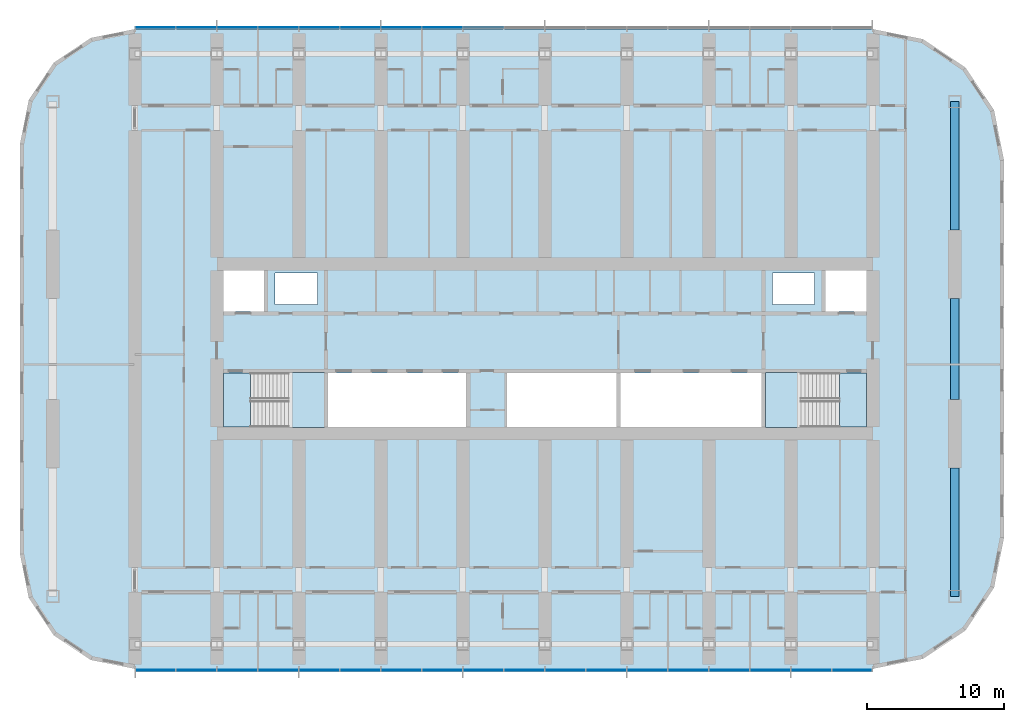
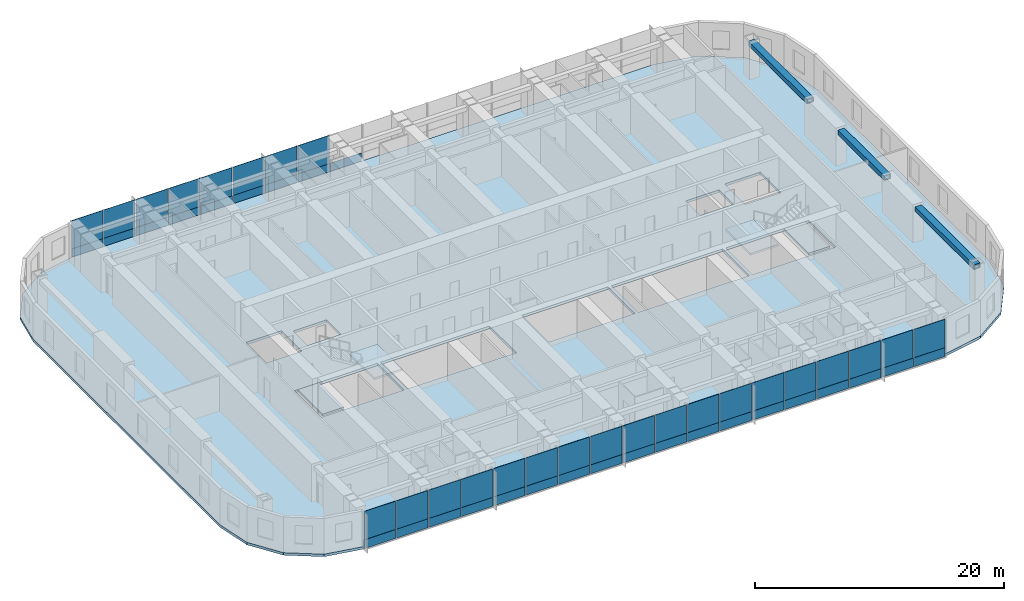
# One storey, part 6 of 21: 53 plates, 5 slabs, 3 beams, 4 elements without a shape of their own.
"""IFC4 building model written with IfcOpenShell, lengths in metres."""

from ifc_helpers import new_model, si_unit, direction, frame, origin, origin_2d, place, context, subcontext, project, spatial, polyline, rectangle, hollow_rectangle, outline, extrude, material, layer, layer_set, material_profile, profile_set, type_object, element, aggregate, save


model = new_model("IFC4")

# Units and contexts
model_context = context("Model", 3, precision=1e-05, world=origin(), true_north=direction((0.0, 1.0)))
body_context = subcontext(model_context, "Body", "Model", "MODEL_VIEW")
ifc_project = project(units=[si_unit("LENGTHUNIT", "METRE"), si_unit("AREAUNIT", "SQUARE_METRE"), si_unit("VOLUMEUNIT", "CUBIC_METRE"), si_unit("PLANEANGLEUNIT", "RADIAN"), si_unit("MASSUNIT", "GRAM", prefix="KILO")], contexts=[model_context])

# Site, building, storey
site_placement = place(None, origin())
site = spatial("IfcSite", under=ifc_project, at=site_placement, CompositionType="ELEMENT")
building_placement = place(site_placement, origin())
building = spatial("IfcBuilding", under=site, at=building_placement, Name="Orbita Commons", CompositionType="ELEMENT")
storey_placement = place(building_placement, frame((0.0, 0.0, 125.64990234375)))
storey = spatial("IfcBuildingStorey", under=building, at=storey_placement, Name="L31", CompositionType="ELEMENT", Elevation=125.64990234375)

# Beams
ifc_material_1 = material(Name="Steel ASTM A572 Gr 50 welded plate", Category="steel")
ifc_material_profile = material_profile(ifc_material_1, hollow_rectangle(XDim=0.60009765625, YDim=0.449951171875, WallThickness=0.06005859375, at=origin_2d()), Name="BOX 450x600x60")
ifc_profile_set = profile_set([ifc_material_profile], Name="Steel ASTM A572 Gr 50 welded plate")
beam_type = type_object("IfcBeamType", Name="Steel end frame link BOX 450x600x60", PredefinedType="BEAM", material=ifc_profile_set)
beam_1_placement = place(storey_placement, frame((72.0, 13.89990234375, 3.275146484375), z_axis=(0.0, 1.0, 0.0), x_axis=(-1.0, 0.0, 0.0)))
element("IfcBeam", 1, at=beam_1_placement, inside=storey, type_object=beam_type, Name="End frame beam 13 B-C L31", PredefinedType="BEAM", context=body_context, shape_type="SweptSolid", body=[
    extrude(hollow_rectangle(XDim=0.60009765625, YDim=0.449951171875, WallThickness=0.06005859375, at=origin_2d()), origin(), (0.0, 0.0, 1.0), 9.400146484375),
])
beam_2_placement = place(storey_placement, frame((72.0, 28.300048828125, 3.275146484375), z_axis=(0.0, 1.0, 0.0), x_axis=(-1.0, 0.0, 0.0)))
element("IfcBeam", 2, at=beam_2_placement, inside=storey, type_object=beam_type, Name="End frame beam 13 C-D L31", PredefinedType="BEAM", context=body_context, shape_type="SweptSolid", body=[
    extrude(hollow_rectangle(XDim=0.60009765625, YDim=0.449951171875, WallThickness=0.06005859375, at=origin_2d()), origin(), (0.0, 0.0, 1.0), 7.39990234375),
])
beam_3_placement = place(storey_placement, frame((72.0, 40.699951171875, 3.275146484375), z_axis=(0.0, 1.0, 0.0), x_axis=(-1.0, 0.0, 0.0)))
element("IfcBeam", 3, at=beam_3_placement, inside=storey, type_object=beam_type, Name="End frame beam 13 D-E L31", PredefinedType="BEAM", context=body_context, shape_type="SweptSolid", body=[
    extrude(hollow_rectangle(XDim=0.60009765625, YDim=0.449951171875, WallThickness=0.06005859375, at=origin_2d()), origin(), (0.0, 0.0, 1.0), 9.400146484375),
])

# Slab
ifc_material_2 = material(Name="Concrete C40/50", Category="concrete")
ifc_layer_1 = layer(ifc_material_2, 0.25)
ifc_layer_set_1 = layer_set([ifc_layer_1], Name="Concrete C40/50")
slab_type_1 = type_object("IfcSlabType", Name="Floor slab 250", PredefinedType="FLOOR", material=ifc_layer_set_1)
slab_1_placement = place(storey_placement, frame((0.0, 0.0, -0.25)))
element("IfcSlab", 4, at=slab_1_placement, inside=storey, type_object=slab_type_1, Name="Floor slab L31", PredefinedType="FLOOR", context=body_context, shape_type="SweptSolid", body=[
    extrude(outline(polyline([(66.0, 8.60009765625), (69.673828125, 9.330810546875), (72.788330078125, 11.411865234375), (74.869140625, 14.526123046875), (75.60009765625, 18.199951171875), (75.60009765625, 45.800048828125), (74.869140625, 49.473876953125), (72.788330078125, 52.588134765625), (69.673828125, 54.669189453125), (66.0, 55.39990234375), (12.0, 55.39990234375), (8.785400390625, 54.760498046875), (6.060302734375, 52.939697265625), (4.239501953125, 50.214599609375), (3.60009765625, 47.0), (3.60009765625, 17.0), (4.239501953125, 13.785400390625), (6.060302734375, 11.060302734375), (8.785400390625, 9.239501953125), (12.0, 8.60009765625), (66.0, 8.60009765625)]), holes=[polyline([(18.14990234375, 25.949951171875), (25.85009765625, 25.949951171875), (25.85009765625, 30.25), (18.14990234375, 30.25), (18.14990234375, 25.949951171875)]), polyline([(58.14990234375, 25.949951171875), (65.85009765625, 25.949951171875), (65.85009765625, 30.25), (58.14990234375, 30.25), (58.14990234375, 25.949951171875)]), polyline([(18.14990234375, 34.75), (21.449951171875, 34.75), (21.449951171875, 38.050048828125), (18.14990234375, 38.050048828125), (18.14990234375, 34.75)]), polyline([(62.550048828125, 34.75), (65.85009765625, 34.75), (65.85009765625, 38.050048828125), (62.550048828125, 38.050048828125), (62.550048828125, 34.75)]), polyline([(22.25, 35.25), (25.35009765625, 35.25), (25.35009765625, 37.550048828125), (22.25, 37.550048828125), (22.25, 35.25)]), polyline([(58.64990234375, 35.25), (61.75, 35.25), (61.75, 37.550048828125), (58.64990234375, 37.550048828125), (58.64990234375, 35.25)]), polyline([(26.14990234375, 25.949951171875), (36.25, 25.949951171875), (36.25, 30.25), (26.14990234375, 30.25), (26.14990234375, 25.949951171875)]), polyline([(39.25, 25.949951171875), (47.25, 25.949951171875), (47.25, 30.25), (39.25, 30.25), (39.25, 25.949951171875)]), polyline([(47.550048828125, 25.949951171875), (57.85009765625, 25.949951171875), (57.85009765625, 30.25), (47.550048828125, 30.25), (47.550048828125, 25.949951171875)])]), origin(), (0.0, 0.0, 1.0), 0.25),
])

# Curtain wall, plates
ifc_material_3 = material(Name="Anodised aluminium frame, pale silver", Category="aluminium")
curtain_wall_type = type_object("IfcCurtainWallType", Name="Unitised curtain wall CW-T, vision and spandrel", PredefinedType="NOTDEFINED", material=ifc_material_3)
curtain_wall_1_placement = place(storey_placement, origin())
curtain_wall_1 = element("IfcCurtainWall", 5, at=curtain_wall_1_placement, inside=storey, type_object=curtain_wall_type, Name="Curtain wall south L31", PredefinedType="NOTDEFINED")
ifc_material_4 = material(Name="Anodised aluminium sheet on mineral wool", Category="aluminium")
ifc_layer_2 = layer(ifc_material_4, 0.050048828125)
ifc_layer_set_2 = layer_set([ifc_layer_2], Name="Anodised aluminium sheet on mineral wool")
plate_type_1 = type_object("IfcPlateType", Name="Spandrel panel, pale aluminium over insulation 50", PredefinedType="CURTAIN_PANEL", material=ifc_layer_set_2)
plate_1_placement = place(storey_placement, frame((13.52001953125, 8.489990234375, -0.14990234375), z_axis=(0.0, 0.0, 1.0), x_axis=(1.0, 0.0, 0.0)))
plate_1 = element("IfcPlate", 6, at=plate_1_placement, type_object=plate_type_1, Name="Panel 1.1 CW-L31-S", PredefinedType="CURTAIN_PANEL", context=body_context, shape_type="SweptSolid", body=[
    extrude(rectangle(XDim=2.8798828125, YDim=0.050048828125, at=origin_2d()), origin(), (0.0, 0.0, 1.0), 0.875),
])
plate_2_placement = place(storey_placement, frame((16.5, 8.489990234375, -0.14990234375), z_axis=(0.0, 0.0, 1.0), x_axis=(1.0, 0.0, 0.0)))
plate_2 = element("IfcPlate", 7, at=plate_2_placement, type_object=plate_type_1, Name="Panel 2.1 CW-L31-S", PredefinedType="CURTAIN_PANEL", context=body_context, shape_type="SweptSolid", body=[
    extrude(rectangle(XDim=2.919921875, YDim=0.050048828125, at=origin_2d()), origin(), (0.0, 0.0, 1.0), 0.875),
])
plate_3_placement = place(storey_placement, frame((19.5, 8.489990234375, -0.14990234375), z_axis=(0.0, 0.0, 1.0), x_axis=(1.0, 0.0, 0.0)))
plate_3 = element("IfcPlate", 8, at=plate_3_placement, type_object=plate_type_1, Name="Panel 3.1 CW-L31-S", PredefinedType="CURTAIN_PANEL", context=body_context, shape_type="SweptSolid", body=[
    extrude(rectangle(XDim=2.919921875, YDim=0.050048828125, at=origin_2d()), origin(), (0.0, 0.0, 1.0), 0.875),
])
plate_4_placement = place(storey_placement, frame((22.5, 8.489990234375, -0.14990234375), z_axis=(0.0, 0.0, 1.0), x_axis=(1.0, 0.0, 0.0)))
plate_4 = element("IfcPlate", 9, at=plate_4_placement, type_object=plate_type_1, Name="Panel 4.1 CW-L31-S", PredefinedType="CURTAIN_PANEL", context=body_context, shape_type="SweptSolid", body=[
    extrude(rectangle(XDim=2.919921875, YDim=0.050048828125, at=origin_2d()), origin(), (0.0, 0.0, 1.0), 0.875),
])
plate_5_placement = place(storey_placement, frame((25.5, 8.489990234375, -0.14990234375), z_axis=(0.0, 0.0, 1.0), x_axis=(1.0, 0.0, 0.0)))
plate_5 = element("IfcPlate", 10, at=plate_5_placement, type_object=plate_type_1, Name="Panel 5.1 CW-L31-S", PredefinedType="CURTAIN_PANEL", context=body_context, shape_type="SweptSolid", body=[
    extrude(rectangle(XDim=2.919921875, YDim=0.050048828125, at=origin_2d()), origin(), (0.0, 0.0, 1.0), 0.875),
])
plate_6_placement = place(storey_placement, frame((28.5, 8.489990234375, -0.14990234375), z_axis=(0.0, 0.0, 1.0), x_axis=(1.0, 0.0, 0.0)))
plate_6 = element("IfcPlate", 11, at=plate_6_placement, type_object=plate_type_1, Name="Panel 6.1 CW-L31-S", PredefinedType="CURTAIN_PANEL", context=body_context, shape_type="SweptSolid", body=[
    extrude(rectangle(XDim=2.919921875, YDim=0.050048828125, at=origin_2d()), origin(), (0.0, 0.0, 1.0), 0.875),
])
plate_7_placement = place(storey_placement, frame((31.5, 8.489990234375, -0.14990234375), z_axis=(0.0, 0.0, 1.0), x_axis=(1.0, 0.0, 0.0)))
plate_7 = element("IfcPlate", 12, at=plate_7_placement, type_object=plate_type_1, Name="Panel 7.1 CW-L31-S", PredefinedType="CURTAIN_PANEL", context=body_context, shape_type="SweptSolid", body=[
    extrude(rectangle(XDim=2.919921875, YDim=0.050048828125, at=origin_2d()), origin(), (0.0, 0.0, 1.0), 0.875),
])
plate_8_placement = place(storey_placement, frame((34.5, 8.489990234375, -0.14990234375), z_axis=(0.0, 0.0, 1.0), x_axis=(1.0, 0.0, 0.0)))
plate_8 = element("IfcPlate", 13, at=plate_8_placement, type_object=plate_type_1, Name="Panel 8.1 CW-L31-S", PredefinedType="CURTAIN_PANEL", context=body_context, shape_type="SweptSolid", body=[
    extrude(rectangle(XDim=2.919921875, YDim=0.050048828125, at=origin_2d()), origin(), (0.0, 0.0, 1.0), 0.875),
])
plate_9_placement = place(storey_placement, frame((37.5, 8.489990234375, -0.14990234375), z_axis=(0.0, 0.0, 1.0), x_axis=(1.0, 0.0, 0.0)))
plate_9 = element("IfcPlate", 14, at=plate_9_placement, type_object=plate_type_1, Name="Panel 9.1 CW-L31-S", PredefinedType="CURTAIN_PANEL", context=body_context, shape_type="SweptSolid", body=[
    extrude(rectangle(XDim=2.919921875, YDim=0.050048828125, at=origin_2d()), origin(), (0.0, 0.0, 1.0), 0.875),
])
plate_10_placement = place(storey_placement, frame((40.5, 8.489990234375, -0.14990234375), z_axis=(0.0, 0.0, 1.0), x_axis=(1.0, 0.0, 0.0)))
plate_10 = element("IfcPlate", 15, at=plate_10_placement, type_object=plate_type_1, Name="Panel 10.1 CW-L31-S", PredefinedType="CURTAIN_PANEL", context=body_context, shape_type="SweptSolid", body=[
    extrude(rectangle(XDim=2.919921875, YDim=0.050048828125, at=origin_2d()), origin(), (0.0, 0.0, 1.0), 0.875),
])
plate_11_placement = place(storey_placement, frame((43.5, 8.489990234375, -0.14990234375), z_axis=(0.0, 0.0, 1.0), x_axis=(1.0, 0.0, 0.0)))
plate_11 = element("IfcPlate", 16, at=plate_11_placement, type_object=plate_type_1, Name="Panel 11.1 CW-L31-S", PredefinedType="CURTAIN_PANEL", context=body_context, shape_type="SweptSolid", body=[
    extrude(rectangle(XDim=2.919921875, YDim=0.050048828125, at=origin_2d()), origin(), (0.0, 0.0, 1.0), 0.875),
])
plate_12_placement = place(storey_placement, frame((46.5, 8.489990234375, -0.14990234375), z_axis=(0.0, 0.0, 1.0), x_axis=(1.0, 0.0, 0.0)))
plate_12 = element("IfcPlate", 17, at=plate_12_placement, type_object=plate_type_1, Name="Panel 12.1 CW-L31-S", PredefinedType="CURTAIN_PANEL", context=body_context, shape_type="SweptSolid", body=[
    extrude(rectangle(XDim=2.919921875, YDim=0.050048828125, at=origin_2d()), origin(), (0.0, 0.0, 1.0), 0.875),
])
plate_13_placement = place(storey_placement, frame((49.5, 8.489990234375, -0.14990234375), z_axis=(0.0, 0.0, 1.0), x_axis=(1.0, 0.0, 0.0)))
plate_13 = element("IfcPlate", 18, at=plate_13_placement, type_object=plate_type_1, Name="Panel 13.1 CW-L31-S", PredefinedType="CURTAIN_PANEL", context=body_context, shape_type="SweptSolid", body=[
    extrude(rectangle(XDim=2.919921875, YDim=0.050048828125, at=origin_2d()), origin(), (0.0, 0.0, 1.0), 0.875),
])
plate_14_placement = place(storey_placement, frame((52.5, 8.489990234375, -0.14990234375), z_axis=(0.0, 0.0, 1.0), x_axis=(1.0, 0.0, 0.0)))
plate_14 = element("IfcPlate", 19, at=plate_14_placement, type_object=plate_type_1, Name="Panel 14.1 CW-L31-S", PredefinedType="CURTAIN_PANEL", context=body_context, shape_type="SweptSolid", body=[
    extrude(rectangle(XDim=2.919921875, YDim=0.050048828125, at=origin_2d()), origin(), (0.0, 0.0, 1.0), 0.875),
])
plate_15_placement = place(storey_placement, frame((55.5, 8.489990234375, -0.14990234375), z_axis=(0.0, 0.0, 1.0), x_axis=(1.0, 0.0, 0.0)))
plate_15 = element("IfcPlate", 20, at=plate_15_placement, type_object=plate_type_1, Name="Panel 15.1 CW-L31-S", PredefinedType="CURTAIN_PANEL", context=body_context, shape_type="SweptSolid", body=[
    extrude(rectangle(XDim=2.919921875, YDim=0.050048828125, at=origin_2d()), origin(), (0.0, 0.0, 1.0), 0.875),
])
plate_16_placement = place(storey_placement, frame((58.5, 8.489990234375, -0.14990234375), z_axis=(0.0, 0.0, 1.0), x_axis=(1.0, 0.0, 0.0)))
plate_16 = element("IfcPlate", 21, at=plate_16_placement, type_object=plate_type_1, Name="Panel 16.1 CW-L31-S", PredefinedType="CURTAIN_PANEL", context=body_context, shape_type="SweptSolid", body=[
    extrude(rectangle(XDim=2.919921875, YDim=0.050048828125, at=origin_2d()), origin(), (0.0, 0.0, 1.0), 0.875),
])
plate_17_placement = place(storey_placement, frame((61.5, 8.489990234375, -0.14990234375), z_axis=(0.0, 0.0, 1.0), x_axis=(1.0, 0.0, 0.0)))
plate_17 = element("IfcPlate", 22, at=plate_17_placement, type_object=plate_type_1, Name="Panel 17.1 CW-L31-S", PredefinedType="CURTAIN_PANEL", context=body_context, shape_type="SweptSolid", body=[
    extrude(rectangle(XDim=2.919921875, YDim=0.050048828125, at=origin_2d()), origin(), (0.0, 0.0, 1.0), 0.875),
])
plate_18_placement = place(storey_placement, frame((64.47998046875, 8.489990234375, -0.14990234375), z_axis=(0.0, 0.0, 1.0), x_axis=(1.0, 0.0, 0.0)))
plate_18 = element("IfcPlate", 23, at=plate_18_placement, type_object=plate_type_1, Name="Panel 18.1 CW-L31-S", PredefinedType="CURTAIN_PANEL", context=body_context, shape_type="SweptSolid", body=[
    extrude(rectangle(XDim=2.8798828125, YDim=0.050048828125, at=origin_2d()), origin(), (0.0, 0.0, 1.0), 0.875),
])

curtain_wall_2_placement = place(storey_placement, origin())
curtain_wall_2 = element("IfcCurtainWall", 24, at=curtain_wall_2_placement, inside=storey, type_object=curtain_wall_type, Name="Curtain wall north L31", PredefinedType="NOTDEFINED")
plate_19_placement = place(storey_placement, frame((37.5, 55.510009765625, -0.14990234375), z_axis=(0.0, 0.0, 1.0), x_axis=(-1.0, 0.0, 0.0)))
plate_19 = element("IfcPlate", 25, at=plate_19_placement, type_object=plate_type_1, Name="Panel 10.1 CW-L31-N", PredefinedType="CURTAIN_PANEL", context=body_context, shape_type="SweptSolid", body=[
    extrude(rectangle(XDim=2.919921875, YDim=0.050048828125, at=origin_2d()), origin(), (0.0, 0.0, 1.0), 0.875),
])
plate_20_placement = place(storey_placement, frame((34.5, 55.510009765625, -0.14990234375), z_axis=(0.0, 0.0, 1.0), x_axis=(-1.0, 0.0, 0.0)))
plate_20 = element("IfcPlate", 26, at=plate_20_placement, type_object=plate_type_1, Name="Panel 11.1 CW-L31-N", PredefinedType="CURTAIN_PANEL", context=body_context, shape_type="SweptSolid", body=[
    extrude(rectangle(XDim=2.919921875, YDim=0.050048828125, at=origin_2d()), origin(), (0.0, 0.0, 1.0), 0.875),
])
plate_21_placement = place(storey_placement, frame((31.5, 55.510009765625, -0.14990234375), z_axis=(0.0, 0.0, 1.0), x_axis=(-1.0, 0.0, 0.0)))
plate_21 = element("IfcPlate", 27, at=plate_21_placement, type_object=plate_type_1, Name="Panel 12.1 CW-L31-N", PredefinedType="CURTAIN_PANEL", context=body_context, shape_type="SweptSolid", body=[
    extrude(rectangle(XDim=2.919921875, YDim=0.050048828125, at=origin_2d()), origin(), (0.0, 0.0, 1.0), 0.875),
])
plate_22_placement = place(storey_placement, frame((28.5, 55.510009765625, -0.14990234375), z_axis=(0.0, 0.0, 1.0), x_axis=(-1.0, 0.0, 0.0)))
plate_22 = element("IfcPlate", 28, at=plate_22_placement, type_object=plate_type_1, Name="Panel 13.1 CW-L31-N", PredefinedType="CURTAIN_PANEL", context=body_context, shape_type="SweptSolid", body=[
    extrude(rectangle(XDim=2.919921875, YDim=0.050048828125, at=origin_2d()), origin(), (0.0, 0.0, 1.0), 0.875),
])
plate_23_placement = place(storey_placement, frame((25.5, 55.510009765625, -0.14990234375), z_axis=(0.0, 0.0, 1.0), x_axis=(-1.0, 0.0, 0.0)))
plate_23 = element("IfcPlate", 29, at=plate_23_placement, type_object=plate_type_1, Name="Panel 14.1 CW-L31-N", PredefinedType="CURTAIN_PANEL", context=body_context, shape_type="SweptSolid", body=[
    extrude(rectangle(XDim=2.919921875, YDim=0.050048828125, at=origin_2d()), origin(), (0.0, 0.0, 1.0), 0.875),
])
plate_24_placement = place(storey_placement, frame((22.5, 55.510009765625, -0.14990234375), z_axis=(0.0, 0.0, 1.0), x_axis=(-1.0, 0.0, 0.0)))
plate_24 = element("IfcPlate", 30, at=plate_24_placement, type_object=plate_type_1, Name="Panel 15.1 CW-L31-N", PredefinedType="CURTAIN_PANEL", context=body_context, shape_type="SweptSolid", body=[
    extrude(rectangle(XDim=2.919921875, YDim=0.050048828125, at=origin_2d()), origin(), (0.0, 0.0, 1.0), 0.875),
])
plate_25_placement = place(storey_placement, frame((19.5, 55.510009765625, -0.14990234375), z_axis=(0.0, 0.0, 1.0), x_axis=(-1.0, 0.0, 0.0)))
plate_25 = element("IfcPlate", 31, at=plate_25_placement, type_object=plate_type_1, Name="Panel 16.1 CW-L31-N", PredefinedType="CURTAIN_PANEL", context=body_context, shape_type="SweptSolid", body=[
    extrude(rectangle(XDim=2.919921875, YDim=0.050048828125, at=origin_2d()), origin(), (0.0, 0.0, 1.0), 0.875),
])
plate_26_placement = place(storey_placement, frame((16.5, 55.510009765625, -0.14990234375), z_axis=(0.0, 0.0, 1.0), x_axis=(-1.0, 0.0, 0.0)))
plate_26 = element("IfcPlate", 32, at=plate_26_placement, type_object=plate_type_1, Name="Panel 17.1 CW-L31-N", PredefinedType="CURTAIN_PANEL", context=body_context, shape_type="SweptSolid", body=[
    extrude(rectangle(XDim=2.919921875, YDim=0.050048828125, at=origin_2d()), origin(), (0.0, 0.0, 1.0), 0.875),
])
plate_27_placement = place(storey_placement, frame((13.52001953125, 55.510009765625, -0.14990234375), z_axis=(0.0, 0.0, 1.0), x_axis=(-1.0, 0.0, 0.0)))
plate_27 = element("IfcPlate", 33, at=plate_27_placement, type_object=plate_type_1, Name="Panel 18.1 CW-L31-N", PredefinedType="CURTAIN_PANEL", context=body_context, shape_type="SweptSolid", body=[
    extrude(rectangle(XDim=2.8798828125, YDim=0.050048828125, at=origin_2d()), origin(), (0.0, 0.0, 1.0), 0.875),
])

# Stair, slabs
ifc_material_5 = material(Name="Precast concrete C40/50", Category="concrete")
stair_type_1 = type_object("IfcStairType", Name="Exit stair S1 2 flights 11 risers 170", PredefinedType="HALF_TURN_STAIR", material=ifc_material_5)
stair_1_placement = place(storey_placement, origin())
stair_1 = element("IfcStair", 34, at=stair_1_placement, inside=storey, type_object=stair_type_1, Name="Exit stair S1 L31", PredefinedType="HALF_TURN_STAIR")
ifc_material_6 = material(Name="Concrete C40/50", Category="concrete")
ifc_layer_3 = layer(ifc_material_6, 0.199951171875)
ifc_layer_set_3 = layer_set([ifc_layer_3], Name="Concrete C40/50")
slab_type_2 = type_object("IfcSlabType", Name="Stair landing 200", PredefinedType="LANDING", material=ifc_layer_set_3)
slab_2_placement = place(storey_placement, frame((0.0, 0.0, -0.199951171875)))
slab_2 = element("IfcSlab", 35, at=slab_2_placement, type_object=slab_type_2, Name="S1 landing 1", PredefinedType="LANDING", context=body_context, shape_type="SweptSolid", body=[
    extrude(outline(polyline([(18.47509765625, 26.27490234375), (20.449951171875, 26.27490234375), (20.449951171875, 30.25), (18.47509765625, 30.25), (18.47509765625, 26.27490234375)])), origin(), (0.0, 0.0, 1.0), 0.199951171875),
])
slab_3_placement = place(storey_placement, frame((0.0, 0.0, 1.675048828125)))
slab_3 = element("IfcSlab", 36, at=slab_3_placement, type_object=slab_type_2, Name="S1 landing 2", PredefinedType="LANDING", context=body_context, shape_type="SweptSolid", body=[
    extrude(outline(polyline([(23.25, 26.260009765625), (25.864990234375, 26.260009765625), (25.864990234375, 30.264892578125), (23.25, 30.264892578125), (23.25, 26.260009765625)])), origin(), (0.0, 0.0, 1.0), 0.199951171875),
])
aggregate(stair_1, [slab_2, slab_3])

ifc_material_7 = material(Name="Precast concrete C40/50", Category="concrete")
stair_type_2 = type_object("IfcStairType", Name="Exit stair S2 2 flights 11 risers 170", PredefinedType="HALF_TURN_STAIR", material=ifc_material_7)
stair_2_placement = place(storey_placement, origin())
stair_2 = element("IfcStair", 37, at=stair_2_placement, inside=storey, type_object=stair_type_2, Name="Exit stair S2 L31", PredefinedType="HALF_TURN_STAIR")
slab_4_placement = place(storey_placement, frame((0.0, 0.0, -0.199951171875)))
slab_4 = element("IfcSlab", 38, at=slab_4_placement, type_object=slab_type_2, Name="S2 landing 1", PredefinedType="LANDING", context=body_context, shape_type="SweptSolid", body=[
    extrude(outline(polyline([(63.550048828125, 26.27490234375), (65.52490234375, 26.27490234375), (65.52490234375, 30.25), (63.550048828125, 30.25), (63.550048828125, 26.27490234375)])), origin(), (0.0, 0.0, 1.0), 0.199951171875),
])
slab_5_placement = place(storey_placement, frame((0.0, 0.0, 1.675048828125)))
slab_5 = element("IfcSlab", 39, at=slab_5_placement, type_object=slab_type_2, Name="S2 landing 2", PredefinedType="LANDING", context=body_context, shape_type="SweptSolid", body=[
    extrude(outline(polyline([(58.135009765625, 26.260009765625), (60.75, 26.260009765625), (60.75, 30.264892578125), (58.135009765625, 30.264892578125), (58.135009765625, 26.260009765625)])), origin(), (0.0, 0.0, 1.0), 0.199951171875),
])
aggregate(stair_2, [slab_4, slab_5])

# Plate
ifc_material_8 = material(Name="Clear double glazing", Category="glass")
ifc_layer_4 = layer(ifc_material_8, 0.031982421875)
ifc_layer_set_4 = layer_set([ifc_layer_4], Name="Clear double glazing")
plate_type_2 = type_object("IfcPlateType", Name="Vision panel, clear double glazing 32", PredefinedType="CURTAIN_PANEL", material=ifc_layer_set_4)
plate_28_placement = place(storey_placement, frame((13.52001953125, 8.489990234375, 0.72509765625), z_axis=(0.0, 0.0, 1.0), x_axis=(1.0, 0.0, 0.0)))
plate_28 = element("IfcPlate", 40, at=plate_28_placement, type_object=plate_type_2, Name="Panel 1.2 CW-L31-S", PredefinedType="CURTAIN_PANEL", context=body_context, shape_type="SweptSolid", body=[
    extrude(rectangle(XDim=2.8798828125, YDim=0.031982421875, at=origin_2d()), origin(), (0.0, 0.0, 1.0), 2.77490234375),
])

plate_29_placement = place(storey_placement, frame((16.5, 8.489990234375, 0.72509765625), z_axis=(0.0, 0.0, 1.0), x_axis=(1.0, 0.0, 0.0)))
plate_29 = element("IfcPlate", 41, at=plate_29_placement, type_object=plate_type_2, Name="Panel 2.2 CW-L31-S", PredefinedType="CURTAIN_PANEL", context=body_context, shape_type="SweptSolid", body=[
    extrude(rectangle(XDim=2.919921875, YDim=0.031982421875, at=origin_2d()), origin(), (0.0, 0.0, 1.0), 2.77490234375),
])

plate_30_placement = place(storey_placement, frame((19.5, 8.489990234375, 0.72509765625), z_axis=(0.0, 0.0, 1.0), x_axis=(1.0, 0.0, 0.0)))
plate_30 = element("IfcPlate", 42, at=plate_30_placement, type_object=plate_type_2, Name="Panel 3.2 CW-L31-S", PredefinedType="CURTAIN_PANEL", context=body_context, shape_type="SweptSolid", body=[
    extrude(rectangle(XDim=2.919921875, YDim=0.031982421875, at=origin_2d()), origin(), (0.0, 0.0, 1.0), 2.77490234375),
])

plate_31_placement = place(storey_placement, frame((22.5, 8.489990234375, 0.72509765625), z_axis=(0.0, 0.0, 1.0), x_axis=(1.0, 0.0, 0.0)))
plate_31 = element("IfcPlate", 43, at=plate_31_placement, type_object=plate_type_2, Name="Panel 4.2 CW-L31-S", PredefinedType="CURTAIN_PANEL", context=body_context, shape_type="SweptSolid", body=[
    extrude(rectangle(XDim=2.919921875, YDim=0.031982421875, at=origin_2d()), origin(), (0.0, 0.0, 1.0), 2.77490234375),
])

plate_32_placement = place(storey_placement, frame((25.5, 8.489990234375, 0.72509765625), z_axis=(0.0, 0.0, 1.0), x_axis=(1.0, 0.0, 0.0)))
plate_32 = element("IfcPlate", 44, at=plate_32_placement, type_object=plate_type_2, Name="Panel 5.2 CW-L31-S", PredefinedType="CURTAIN_PANEL", context=body_context, shape_type="SweptSolid", body=[
    extrude(rectangle(XDim=2.919921875, YDim=0.031982421875, at=origin_2d()), origin(), (0.0, 0.0, 1.0), 2.77490234375),
])

plate_33_placement = place(storey_placement, frame((28.5, 8.489990234375, 0.72509765625), z_axis=(0.0, 0.0, 1.0), x_axis=(1.0, 0.0, 0.0)))
plate_33 = element("IfcPlate", 45, at=plate_33_placement, type_object=plate_type_2, Name="Panel 6.2 CW-L31-S", PredefinedType="CURTAIN_PANEL", context=body_context, shape_type="SweptSolid", body=[
    extrude(rectangle(XDim=2.919921875, YDim=0.031982421875, at=origin_2d()), origin(), (0.0, 0.0, 1.0), 2.77490234375),
])

plate_34_placement = place(storey_placement, frame((31.5, 8.489990234375, 0.72509765625), z_axis=(0.0, 0.0, 1.0), x_axis=(1.0, 0.0, 0.0)))
plate_34 = element("IfcPlate", 46, at=plate_34_placement, type_object=plate_type_2, Name="Panel 7.2 CW-L31-S", PredefinedType="CURTAIN_PANEL", context=body_context, shape_type="SweptSolid", body=[
    extrude(rectangle(XDim=2.919921875, YDim=0.031982421875, at=origin_2d()), origin(), (0.0, 0.0, 1.0), 2.77490234375),
])

plate_35_placement = place(storey_placement, frame((34.5, 8.489990234375, 0.72509765625), z_axis=(0.0, 0.0, 1.0), x_axis=(1.0, 0.0, 0.0)))
plate_35 = element("IfcPlate", 47, at=plate_35_placement, type_object=plate_type_2, Name="Panel 8.2 CW-L31-S", PredefinedType="CURTAIN_PANEL", context=body_context, shape_type="SweptSolid", body=[
    extrude(rectangle(XDim=2.919921875, YDim=0.031982421875, at=origin_2d()), origin(), (0.0, 0.0, 1.0), 2.77490234375),
])

plate_36_placement = place(storey_placement, frame((37.5, 8.489990234375, 0.72509765625), z_axis=(0.0, 0.0, 1.0), x_axis=(1.0, 0.0, 0.0)))
plate_36 = element("IfcPlate", 48, at=plate_36_placement, type_object=plate_type_2, Name="Panel 9.2 CW-L31-S", PredefinedType="CURTAIN_PANEL", context=body_context, shape_type="SweptSolid", body=[
    extrude(rectangle(XDim=2.919921875, YDim=0.031982421875, at=origin_2d()), origin(), (0.0, 0.0, 1.0), 2.77490234375),
])

plate_37_placement = place(storey_placement, frame((40.5, 8.489990234375, 0.72509765625), z_axis=(0.0, 0.0, 1.0), x_axis=(1.0, 0.0, 0.0)))
plate_37 = element("IfcPlate", 49, at=plate_37_placement, type_object=plate_type_2, Name="Panel 10.2 CW-L31-S", PredefinedType="CURTAIN_PANEL", context=body_context, shape_type="SweptSolid", body=[
    extrude(rectangle(XDim=2.919921875, YDim=0.031982421875, at=origin_2d()), origin(), (0.0, 0.0, 1.0), 2.77490234375),
])

plate_38_placement = place(storey_placement, frame((43.5, 8.489990234375, 0.72509765625), z_axis=(0.0, 0.0, 1.0), x_axis=(1.0, 0.0, 0.0)))
plate_38 = element("IfcPlate", 50, at=plate_38_placement, type_object=plate_type_2, Name="Panel 11.2 CW-L31-S", PredefinedType="CURTAIN_PANEL", context=body_context, shape_type="SweptSolid", body=[
    extrude(rectangle(XDim=2.919921875, YDim=0.031982421875, at=origin_2d()), origin(), (0.0, 0.0, 1.0), 2.77490234375),
])

plate_39_placement = place(storey_placement, frame((46.5, 8.489990234375, 0.72509765625), z_axis=(0.0, 0.0, 1.0), x_axis=(1.0, 0.0, 0.0)))
plate_39 = element("IfcPlate", 51, at=plate_39_placement, type_object=plate_type_2, Name="Panel 12.2 CW-L31-S", PredefinedType="CURTAIN_PANEL", context=body_context, shape_type="SweptSolid", body=[
    extrude(rectangle(XDim=2.919921875, YDim=0.031982421875, at=origin_2d()), origin(), (0.0, 0.0, 1.0), 2.77490234375),
])

plate_40_placement = place(storey_placement, frame((49.5, 8.489990234375, 0.72509765625), z_axis=(0.0, 0.0, 1.0), x_axis=(1.0, 0.0, 0.0)))
plate_40 = element("IfcPlate", 52, at=plate_40_placement, type_object=plate_type_2, Name="Panel 13.2 CW-L31-S", PredefinedType="CURTAIN_PANEL", context=body_context, shape_type="SweptSolid", body=[
    extrude(rectangle(XDim=2.919921875, YDim=0.031982421875, at=origin_2d()), origin(), (0.0, 0.0, 1.0), 2.77490234375),
])

plate_41_placement = place(storey_placement, frame((52.5, 8.489990234375, 0.72509765625), z_axis=(0.0, 0.0, 1.0), x_axis=(1.0, 0.0, 0.0)))
plate_41 = element("IfcPlate", 53, at=plate_41_placement, type_object=plate_type_2, Name="Panel 14.2 CW-L31-S", PredefinedType="CURTAIN_PANEL", context=body_context, shape_type="SweptSolid", body=[
    extrude(rectangle(XDim=2.919921875, YDim=0.031982421875, at=origin_2d()), origin(), (0.0, 0.0, 1.0), 2.77490234375),
])

plate_42_placement = place(storey_placement, frame((55.5, 8.489990234375, 0.72509765625), z_axis=(0.0, 0.0, 1.0), x_axis=(1.0, 0.0, 0.0)))
plate_42 = element("IfcPlate", 54, at=plate_42_placement, type_object=plate_type_2, Name="Panel 15.2 CW-L31-S", PredefinedType="CURTAIN_PANEL", context=body_context, shape_type="SweptSolid", body=[
    extrude(rectangle(XDim=2.919921875, YDim=0.031982421875, at=origin_2d()), origin(), (0.0, 0.0, 1.0), 2.77490234375),
])

plate_43_placement = place(storey_placement, frame((58.5, 8.489990234375, 0.72509765625), z_axis=(0.0, 0.0, 1.0), x_axis=(1.0, 0.0, 0.0)))
plate_43 = element("IfcPlate", 55, at=plate_43_placement, type_object=plate_type_2, Name="Panel 16.2 CW-L31-S", PredefinedType="CURTAIN_PANEL", context=body_context, shape_type="SweptSolid", body=[
    extrude(rectangle(XDim=2.919921875, YDim=0.031982421875, at=origin_2d()), origin(), (0.0, 0.0, 1.0), 2.77490234375),
])

plate_44_placement = place(storey_placement, frame((61.5, 8.489990234375, 0.72509765625), z_axis=(0.0, 0.0, 1.0), x_axis=(1.0, 0.0, 0.0)))
plate_44 = element("IfcPlate", 56, at=plate_44_placement, type_object=plate_type_2, Name="Panel 17.2 CW-L31-S", PredefinedType="CURTAIN_PANEL", context=body_context, shape_type="SweptSolid", body=[
    extrude(rectangle(XDim=2.919921875, YDim=0.031982421875, at=origin_2d()), origin(), (0.0, 0.0, 1.0), 2.77490234375),
])

plate_45_placement = place(storey_placement, frame((64.47998046875, 8.489990234375, 0.72509765625), z_axis=(0.0, 0.0, 1.0), x_axis=(1.0, 0.0, 0.0)))
plate_45 = element("IfcPlate", 57, at=plate_45_placement, type_object=plate_type_2, Name="Panel 18.2 CW-L31-S", PredefinedType="CURTAIN_PANEL", context=body_context, shape_type="SweptSolid", body=[
    extrude(rectangle(XDim=2.8798828125, YDim=0.031982421875, at=origin_2d()), origin(), (0.0, 0.0, 1.0), 2.77490234375),
])

aggregate(curtain_wall_1, [plate_1, plate_28, plate_2, plate_29, plate_3, plate_30, plate_4, plate_31, plate_5, plate_32, plate_6, plate_33, plate_7, plate_34, plate_8, plate_35, plate_9, plate_36, plate_10, plate_37, plate_11, plate_38, plate_12, plate_39, plate_13, plate_40, plate_14, plate_41, plate_15, plate_42, plate_16, plate_43, plate_17, plate_44, plate_18, plate_45])

plate_46_placement = place(storey_placement, frame((34.5, 55.510009765625, 0.72509765625), z_axis=(0.0, 0.0, 1.0), x_axis=(-1.0, 0.0, 0.0)))
plate_46 = element("IfcPlate", 58, at=plate_46_placement, type_object=plate_type_2, Name="Panel 11.2 CW-L31-N", PredefinedType="CURTAIN_PANEL", context=body_context, shape_type="SweptSolid", body=[
    extrude(rectangle(XDim=2.919921875, YDim=0.031982421875, at=origin_2d()), origin(), (0.0, 0.0, 1.0), 2.77490234375),
])

plate_47_placement = place(storey_placement, frame((31.5, 55.510009765625, 0.72509765625), z_axis=(0.0, 0.0, 1.0), x_axis=(-1.0, 0.0, 0.0)))
plate_47 = element("IfcPlate", 59, at=plate_47_placement, type_object=plate_type_2, Name="Panel 12.2 CW-L31-N", PredefinedType="CURTAIN_PANEL", context=body_context, shape_type="SweptSolid", body=[
    extrude(rectangle(XDim=2.919921875, YDim=0.031982421875, at=origin_2d()), origin(), (0.0, 0.0, 1.0), 2.77490234375),
])

plate_48_placement = place(storey_placement, frame((28.5, 55.510009765625, 0.72509765625), z_axis=(0.0, 0.0, 1.0), x_axis=(-1.0, 0.0, 0.0)))
plate_48 = element("IfcPlate", 60, at=plate_48_placement, type_object=plate_type_2, Name="Panel 13.2 CW-L31-N", PredefinedType="CURTAIN_PANEL", context=body_context, shape_type="SweptSolid", body=[
    extrude(rectangle(XDim=2.919921875, YDim=0.031982421875, at=origin_2d()), origin(), (0.0, 0.0, 1.0), 2.77490234375),
])

plate_49_placement = place(storey_placement, frame((25.5, 55.510009765625, 0.72509765625), z_axis=(0.0, 0.0, 1.0), x_axis=(-1.0, 0.0, 0.0)))
plate_49 = element("IfcPlate", 61, at=plate_49_placement, type_object=plate_type_2, Name="Panel 14.2 CW-L31-N", PredefinedType="CURTAIN_PANEL", context=body_context, shape_type="SweptSolid", body=[
    extrude(rectangle(XDim=2.919921875, YDim=0.031982421875, at=origin_2d()), origin(), (0.0, 0.0, 1.0), 2.77490234375),
])

plate_50_placement = place(storey_placement, frame((22.5, 55.510009765625, 0.72509765625), z_axis=(0.0, 0.0, 1.0), x_axis=(-1.0, 0.0, 0.0)))
plate_50 = element("IfcPlate", 62, at=plate_50_placement, type_object=plate_type_2, Name="Panel 15.2 CW-L31-N", PredefinedType="CURTAIN_PANEL", context=body_context, shape_type="SweptSolid", body=[
    extrude(rectangle(XDim=2.919921875, YDim=0.031982421875, at=origin_2d()), origin(), (0.0, 0.0, 1.0), 2.77490234375),
])

plate_51_placement = place(storey_placement, frame((19.5, 55.510009765625, 0.72509765625), z_axis=(0.0, 0.0, 1.0), x_axis=(-1.0, 0.0, 0.0)))
plate_51 = element("IfcPlate", 63, at=plate_51_placement, type_object=plate_type_2, Name="Panel 16.2 CW-L31-N", PredefinedType="CURTAIN_PANEL", context=body_context, shape_type="SweptSolid", body=[
    extrude(rectangle(XDim=2.919921875, YDim=0.031982421875, at=origin_2d()), origin(), (0.0, 0.0, 1.0), 2.77490234375),
])

plate_52_placement = place(storey_placement, frame((16.5, 55.510009765625, 0.72509765625), z_axis=(0.0, 0.0, 1.0), x_axis=(-1.0, 0.0, 0.0)))
plate_52 = element("IfcPlate", 64, at=plate_52_placement, type_object=plate_type_2, Name="Panel 17.2 CW-L31-N", PredefinedType="CURTAIN_PANEL", context=body_context, shape_type="SweptSolid", body=[
    extrude(rectangle(XDim=2.919921875, YDim=0.031982421875, at=origin_2d()), origin(), (0.0, 0.0, 1.0), 2.77490234375),
])

plate_53_placement = place(storey_placement, frame((13.52001953125, 55.510009765625, 0.72509765625), z_axis=(0.0, 0.0, 1.0), x_axis=(-1.0, 0.0, 0.0)))
plate_53 = element("IfcPlate", 65, at=plate_53_placement, type_object=plate_type_2, Name="Panel 18.2 CW-L31-N", PredefinedType="CURTAIN_PANEL", context=body_context, shape_type="SweptSolid", body=[
    extrude(rectangle(XDim=2.8798828125, YDim=0.031982421875, at=origin_2d()), origin(), (0.0, 0.0, 1.0), 2.77490234375),
])

aggregate(curtain_wall_2, [plate_19, plate_20, plate_46, plate_21, plate_47, plate_22, plate_48, plate_23, plate_49, plate_24, plate_50, plate_25, plate_51, plate_26, plate_52, plate_27, plate_53])

save(model, "model.ifc")
